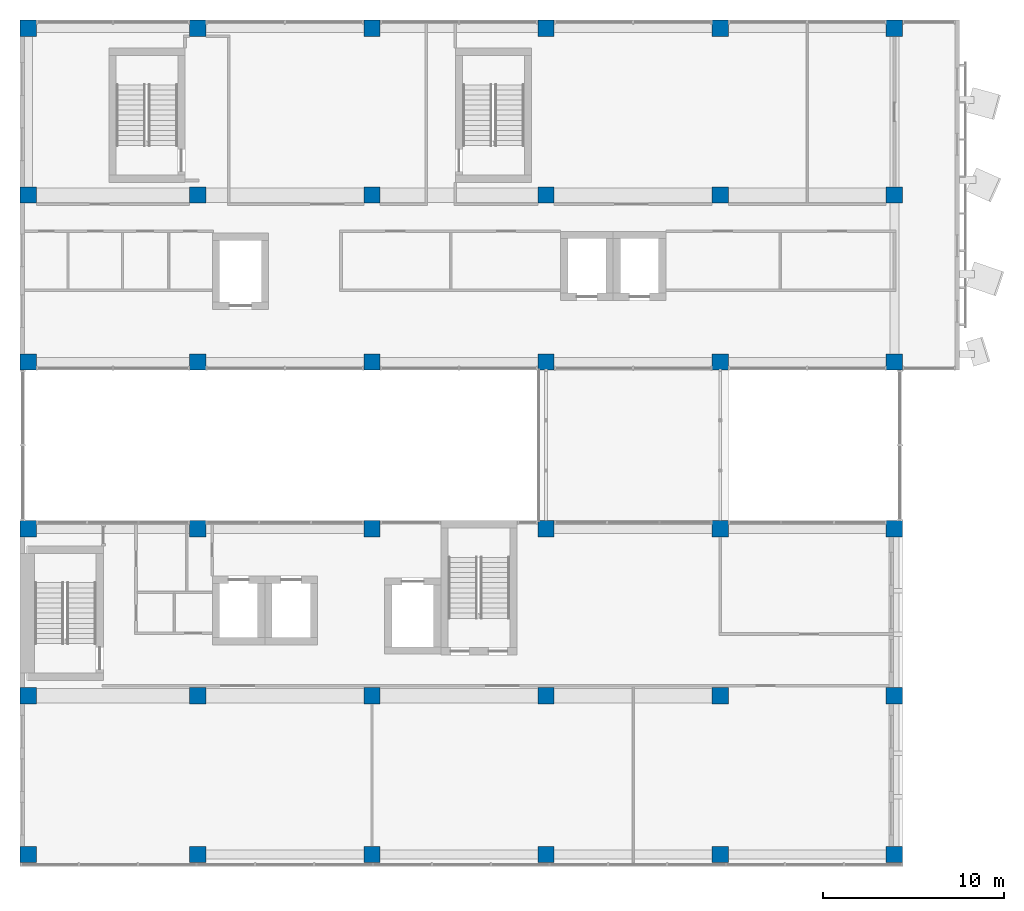
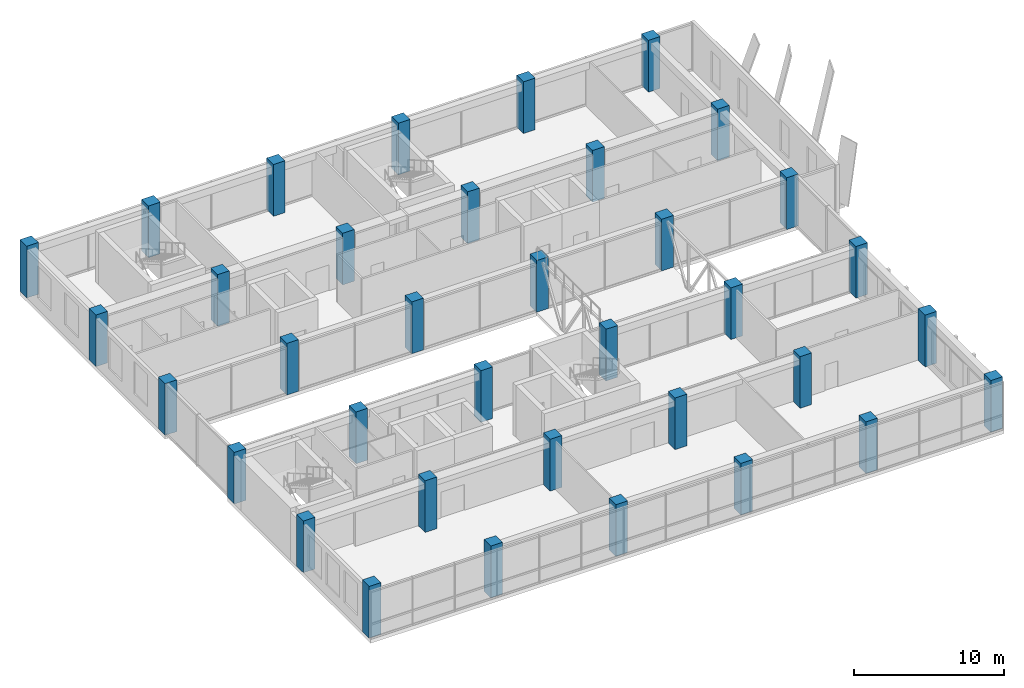
# One storey, part 1 of 38: 36 columns.
"""IFC4 building model written with IfcOpenShell, lengths in metres."""

from ifc_helpers import new_model, si_unit, direction, frame, origin, origin_2d, place, context, subcontext, project, spatial, rectangle, extrude, material, material_profile, profile_set, type_object, element, save


model = new_model("IFC4")

# Units and contexts
model_context = context("Model", 3, precision=1e-05, world=origin(), true_north=direction((0.0, 1.0)))
body_context = subcontext(model_context, "Body", "Model", "MODEL_VIEW")
ifc_project = project(units=[si_unit("LENGTHUNIT", "METRE"), si_unit("AREAUNIT", "SQUARE_METRE"), si_unit("VOLUMEUNIT", "CUBIC_METRE"), si_unit("PLANEANGLEUNIT", "RADIAN"), si_unit("MASSUNIT", "GRAM", prefix="KILO")], contexts=[model_context])

# Site, building, storey
site_placement = place(None, origin())
site = spatial("IfcSite", under=ifc_project, at=site_placement, CompositionType="ELEMENT")
building_placement = place(site_placement, origin())
building = spatial("IfcBuilding", under=site, at=building_placement, Name="Nzadi Deep Aquarium and Research Tower", CompositionType="ELEMENT")
storey_placement = place(building_placement, frame((0.0, 0.0, 65.5)))
storey = spatial("IfcBuildingStorey", under=building, at=storey_placement, Name="L13", CompositionType="ELEMENT", Elevation=65.5)

# Columns
ifc_material = material(Name="Concrete C40/50", Category="concrete")
ifc_material_profile = material_profile(ifc_material, rectangle(XDim=0.89990234375, YDim=0.89990234375, at=origin_2d()))
ifc_profile_set = profile_set([ifc_material_profile], Name="Concrete C40/50")
column_type = type_object("IfcColumnType", Name="RC 900x900", PredefinedType="COLUMN", material=ifc_profile_set)
for number, where, z_axis, x_axis, name in (
    (1, (0.25048828125, 0.449951171875, 0.0), (0.0, 0.0, 1.0), (1.0, 0.0, 0.0), "C-Z1-L13-A1"),
    (2, (9.60009765625, 0.449951171875, 0.0), (0.0, 0.0, 1.0), (1.0, 0.0, 0.0), "C-Z1-L13-B1"),
    (3, (19.199951171875, 0.449951171875, 0.0), (0.0, 0.0, 1.0), (1.0, 0.0, 0.0), "C-Z1-L13-C1"),
    (4, (28.800048828125, 0.449951171875, 0.0), (0.0, 0.0, 1.0), (1.0, 0.0, 0.0), "C-Z1-L13-D1"),
    (5, (38.39990234375, 0.449951171875, 0.0), (0.0, 0.0, 1.0), (1.0, 0.0, 0.0), "C-Z1-L13-E1"),
    (6, (48.0, 0.449951171875, 0.0), (0.0, 0.0, 1.0), (1.0, 0.0, 0.0), "C-Z1-L13-F1"),
    (7, (0.25048828125, 9.199951171875, 0.0), (0.0, 0.0, 1.0), (1.0, 0.0, 0.0), "C-Z1-L13-A2"),
    (8, (9.60009765625, 9.199951171875, 0.0), (0.0, 0.0, 1.0), (1.0, 0.0, 0.0), "C-Z1-L13-B2"),
    (9, (19.199951171875, 9.199951171875, 0.0), (0.0, 0.0, 1.0), (1.0, 0.0, 0.0), "C-Z1-L13-C2"),
    (10, (28.800048828125, 9.199951171875, 0.0), (0.0, 0.0, 1.0), (1.0, 0.0, 0.0), "C-Z1-L13-D2"),
    (11, (38.39990234375, 9.199951171875, 0.0), (0.0, 0.0, 1.0), (1.0, 0.0, 0.0), "C-Z1-L13-E2"),
    (12, (48.0, 9.199951171875, 0.0), (0.0, 0.0, 1.0), (1.0, 0.0, 0.0), "C-Z1-L13-F2"),
    (13, (0.25048828125, 18.39990234375, 0.0), (0.0, 0.0, 1.0), (1.0, 0.0, 0.0), "C-Z1-L13-A3"),
    (14, (9.60009765625, 18.39990234375, 0.0), (0.0, 0.0, 1.0), (1.0, 0.0, 0.0), "C-Z1-L13-B3"),
    (15, (19.199951171875, 18.39990234375, 0.0), (0.0, 0.0, 1.0), (1.0, 0.0, 0.0), "C-Z1-L13-C3"),
    (16, (28.800048828125, 18.39990234375, 0.0), (0.0, 0.0, 1.0), (1.0, 0.0, 0.0), "C-Z1-L13-D3"),
    (17, (38.39990234375, 18.39990234375, 0.0), (0.0, 0.0, 1.0), (1.0, 0.0, 0.0), "C-Z1-L13-E3"),
    (18, (48.0, 18.39990234375, 0.0), (0.0, 0.0, 1.0), (1.0, 0.0, 0.0), "C-Z1-L13-F3"),
    (19, (0.25048828125, 27.60009765625, 0.0), (0.0, 0.0, 1.0), (1.0, 0.0, 0.0), "C-Z1-L13-A4"),
    (20, (9.60009765625, 27.60009765625, 0.0), (0.0, 0.0, 1.0), (1.0, 0.0, 0.0), "C-Z1-L13-B4"),
    (21, (19.199951171875, 27.60009765625, 0.0), (0.0, 0.0, 1.0), (1.0, 0.0, 0.0), "C-Z1-L13-C4"),
    (22, (28.800048828125, 27.60009765625, 0.0), (0.0, 0.0, 1.0), (1.0, 0.0, 0.0), "C-Z1-L13-D4"),
    (23, (38.39990234375, 27.60009765625, 0.0), (0.0, 0.0, 1.0), (1.0, 0.0, 0.0), "C-Z1-L13-E4"),
    (24, (48.0, 27.60009765625, 0.0), (0.0, 0.0, 1.0), (1.0, 0.0, 0.0), "C-Z1-L13-F4"),
    (25, (0.25048828125, 36.800048828125, 0.0), (0.0, 0.0, 1.0), (1.0, 0.0, 0.0), "C-Z1-L13-A5"),
    (26, (9.60009765625, 36.800048828125, 0.0), (0.0, 0.0, 1.0), (1.0, 0.0, 0.0), "C-Z1-L13-B5"),
    (27, (19.199951171875, 36.800048828125, 0.0), (0.0, 0.0, 1.0), (1.0, 0.0, 0.0), "C-Z1-L13-C5"),
    (28, (28.800048828125, 36.800048828125, 0.0), (0.0, 0.0, 1.0), (1.0, 0.0, 0.0), "C-Z1-L13-D5"),
    (29, (38.39990234375, 36.800048828125, 0.0), (0.0, 0.0, 1.0), (1.0, 0.0, 0.0), "C-Z1-L13-E5"),
    (30, (48.0, 36.800048828125, 0.0), (0.0, 0.0, 1.0), (1.0, 0.0, 0.0), "C-Z1-L13-F5"),
    (31, (0.25048828125, 46.0, 0.0), (0.0, 0.0, 1.0), (1.0, 0.0, 0.0), "C-Z1-L13-A6"),
    (32, (9.60009765625, 46.0, 0.0), (0.0, 0.0, 1.0), (1.0, 0.0, 0.0), "C-Z1-L13-B6"),
    (33, (19.199951171875, 46.0, 0.0), (0.0, 0.0, 1.0), (1.0, 0.0, 0.0), "C-Z1-L13-C6"),
    (34, (28.800048828125, 46.0, 0.0), (0.0, 0.0, 1.0), (1.0, 0.0, 0.0), "C-Z1-L13-D6"),
    (35, (38.39990234375, 46.0, 0.0), (0.0, 0.0, 1.0), (1.0, 0.0, 0.0), "C-Z1-L13-E6"),
    (36, (48.0, 46.0, 0.0), (0.0, 0.0, 1.0), (1.0, 0.0, 0.0), "C-Z1-L13-F6"),
):
    element("IfcColumn", number, at=place(storey_placement, frame(where, z_axis=z_axis, x_axis=x_axis)), inside=storey, type_object=column_type, Name=name, PredefinedType="COLUMN", context=body_context, shape_type="SweptSolid", body=[
        extrude(rectangle(XDim=0.89990234375, YDim=0.89990234375, at=origin_2d()), origin(), (0.0, 0.0, 1.0), 4.199951171875),
    ])

save(model, "model.ifc")
